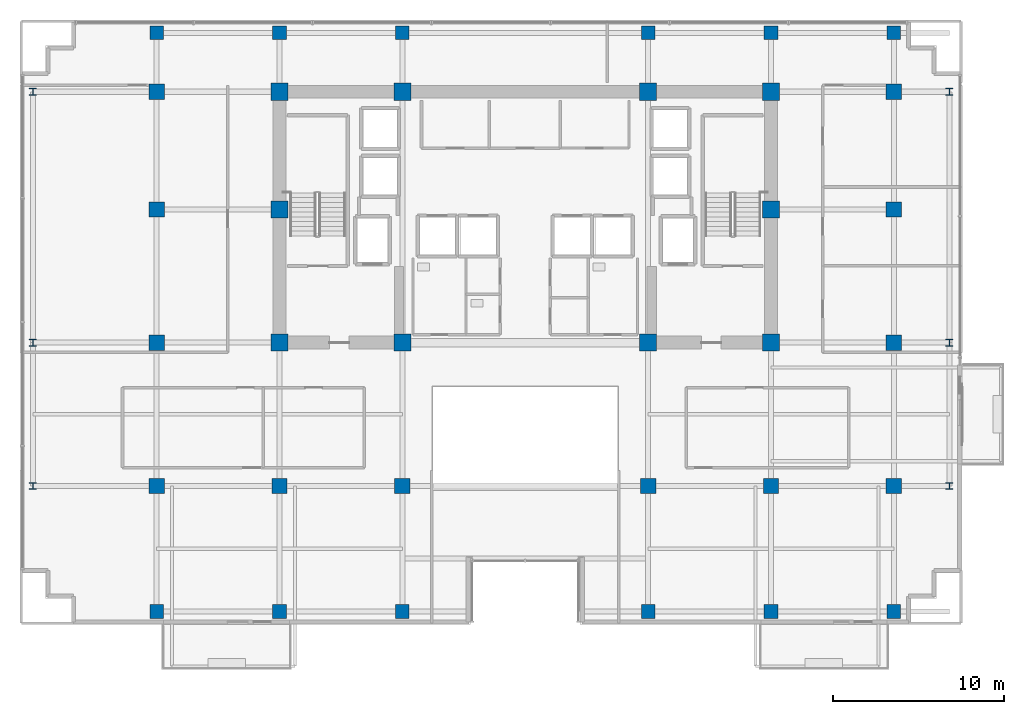
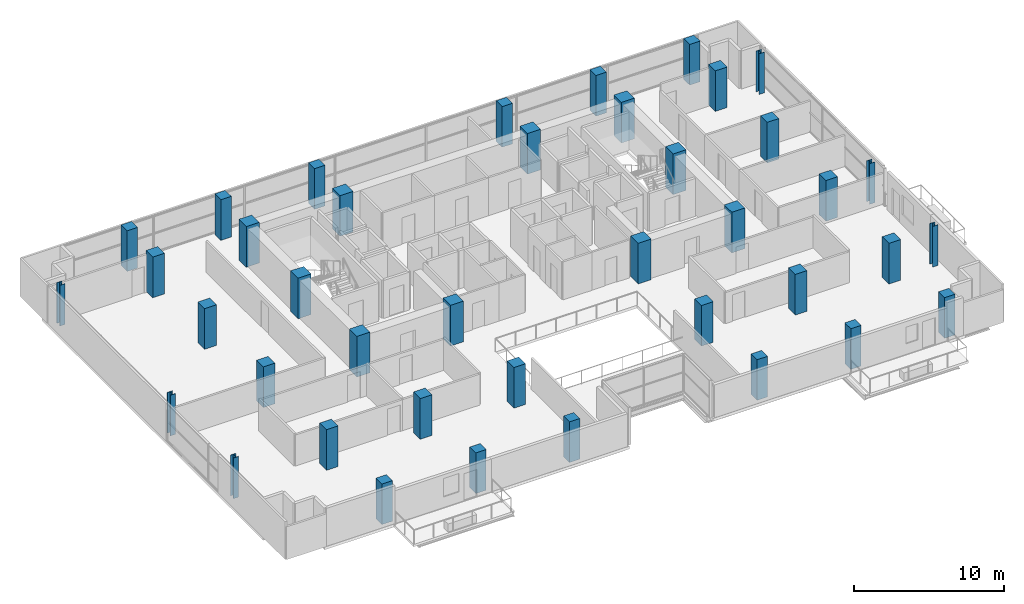
# One storey, part 1 of 25: 40 columns.
"""IFC4 building model written with IfcOpenShell, lengths in metres."""

from ifc_helpers import new_model, si_unit, direction, frame, origin, origin_2d, place, context, subcontext, project, spatial, rectangle, i_section, extrude, material, material_profile, profile_set, type_object, element, save


model = new_model("IFC4")

# Units and contexts
model_context = context("Model", 3, precision=1e-05, world=origin(), true_north=direction((0.0, 1.0)))
body_context = subcontext(model_context, "Body", "Model", "MODEL_VIEW")
ifc_project = project(units=[si_unit("LENGTHUNIT", "METRE"), si_unit("AREAUNIT", "SQUARE_METRE"), si_unit("VOLUMEUNIT", "CUBIC_METRE"), si_unit("PLANEANGLEUNIT", "RADIAN"), si_unit("MASSUNIT", "GRAM", prefix="KILO")], contexts=[model_context])

# Site, building, storey
site_placement = place(None, origin())
site = spatial("IfcSite", under=ifc_project, at=site_placement, CompositionType="ELEMENT")
building_placement = place(site_placement, origin())
building = spatial("IfcBuilding", under=site, at=building_placement, Name="Zarnakvel Exchange Tower", CompositionType="ELEMENT")
storey_placement = place(building_placement, frame((0.0, 0.0, 100.0)))
storey = spatial("IfcBuildingStorey", under=building, at=storey_placement, Name="L27", CompositionType="ELEMENT", Elevation=100.0)

# Columns
ifc_material_1 = material(Name="Concrete C60/75", Category="concrete")
ifc_material_profile_1 = material_profile(ifc_material_1, rectangle(XDim=1.0, YDim=1.0, at=origin_2d()))
ifc_profile_set_1 = profile_set([ifc_material_profile_1], Name="Concrete C60/75")
column_type_1 = type_object("IfcColumnType", Name="CC-02", PredefinedType="COLUMN", material=ifc_profile_set_1)
for number, where, z_axis, x_axis, name in (
    (1, (-14.39990234375, -1.199951171875, 0.0), (0.0, 0.0, 1.0), (1.0, 0.0, 0.0), "L27 Column C-4D (CC-02)"),
    (2, (-7.199951171875, -1.199951171875, 0.0), (0.0, 0.0, 1.0), (1.0, 0.0, 0.0), "L27 Column C-5D (CC-02)"),
    (3, (7.199951171875, -1.199951171875, 0.0), (0.0, 0.0, 1.0), (1.0, 0.0, 0.0), "L27 Column C-8D (CC-02)"),
    (4, (14.39990234375, -1.199951171875, 0.0), (0.0, 0.0, 1.0), (1.0, 0.0, 0.0), "L27 Column C-9D (CC-02)"),
    (5, (-14.39990234375, 6.60009765625, 0.0), (0.0, 0.0, 1.0), (1.0, 0.0, 0.0), "L27 Column C-4E (CC-02)"),
    (6, (14.39990234375, 6.60009765625, 0.0), (0.0, 0.0, 1.0), (1.0, 0.0, 0.0), "L27 Column C-9E (CC-02)"),
    (7, (-14.39990234375, 13.5, 0.0), (0.0, 0.0, 1.0), (1.0, 0.0, 0.0), "L27 Column C-4F (CC-02)"),
    (8, (-7.199951171875, 13.5, 0.0), (0.0, 0.0, 1.0), (1.0, 0.0, 0.0), "L27 Column C-5F (CC-02)"),
    (9, (7.199951171875, 13.5, 0.0), (0.0, 0.0, 1.0), (1.0, 0.0, 0.0), "L27 Column C-8F (CC-02)"),
    (10, (14.39990234375, 13.5, 0.0), (0.0, 0.0, 1.0), (1.0, 0.0, 0.0), "L27 Column C-9F (CC-02)"),
):
    element("IfcColumn", number, at=place(storey_placement, frame(where, z_axis=z_axis, x_axis=x_axis)), inside=storey, type_object=column_type_1, Name=name, PredefinedType="COLUMN", context=body_context, shape_type="SweptSolid", body=[
        extrude(rectangle(XDim=1.0, YDim=1.0, at=origin_2d()), origin(), (0.0, 0.0, 1.0), 3.300048828125),
    ])
ifc_material_2 = material(Name="Steel S355", Category="steel")
ifc_material_profile_2 = material_profile(ifc_material_2, i_section(OverallWidth=0.404052734375, OverallDepth=0.406982421875, WebThickness=0.0224609375, FlangeThickness=0.031982421875, FilletRadius=0.014892578125, at=origin_2d()))
ifc_profile_set_2 = profile_set([ifc_material_profile_2], Name="Steel S355")
column_type_2 = type_object("IfcColumnType", Name="SC-02", PredefinedType="COLUMN", material=ifc_profile_set_2)
for number, where, z_axis, x_axis, name in (
    (11, (-28.85009765625, -9.60009765625, 0.0), (0.0, 0.0, 1.0), (1.0, 0.0, 0.0), "L27 Column TW-C (SC-02)"),
    (12, (24.85009765625, -9.60009765625, 0.0), (0.0, 0.0, 1.0), (1.0, 0.0, 0.0), "L27 Column TE-C (SC-02)"),
    (13, (-28.85009765625, -1.199951171875, 0.0), (0.0, 0.0, 1.0), (1.0, 0.0, 0.0), "L27 Column TW-D (SC-02)"),
    (14, (24.85009765625, -1.199951171875, 0.0), (0.0, 0.0, 1.0), (1.0, 0.0, 0.0), "L27 Column TE-D (SC-02)"),
    (15, (-28.85009765625, 13.5, 0.0), (0.0, 0.0, 1.0), (1.0, 0.0, 0.0), "L27 Column TW-F (SC-02)"),
    (16, (24.85009765625, 13.5, 0.0), (0.0, 0.0, 1.0), (1.0, 0.0, 0.0), "L27 Column TE-F (SC-02)"),
):
    element("IfcColumn", number, at=place(storey_placement, frame(where, z_axis=z_axis, x_axis=x_axis)), inside=storey, type_object=column_type_2, Name=name, PredefinedType="COLUMN", context=body_context, shape_type="SweptSolid", body=[
        extrude(i_section(OverallWidth=0.404052734375, OverallDepth=0.406982421875, WebThickness=0.0224609375, FlangeThickness=0.031982421875, FilletRadius=0.014892578125, at=origin_2d()), origin(), (0.0, 0.0, 1.0), 3.300048828125),
    ])
ifc_material_profile_3 = material_profile(ifc_material_1, rectangle(XDim=0.89990234375, YDim=0.89990234375, at=origin_2d()))
ifc_profile_set_3 = profile_set([ifc_material_profile_3], Name="Concrete C60/75")
column_type_3 = type_object("IfcColumnType", Name="TC-02", PredefinedType="COLUMN", material=ifc_profile_set_3)
for number, where, z_axis, x_axis, name in (
    (17, (-14.39990234375, -9.60009765625, 0.0), (0.0, 0.0, 1.0), (1.0, 0.0, 0.0), "L27 Column T-4C (TC-02)"),
    (18, (-7.199951171875, -9.60009765625, 0.0), (0.0, 0.0, 1.0), (1.0, 0.0, 0.0), "L27 Column T-5C (TC-02)"),
    (19, (7.199951171875, -9.60009765625, 0.0), (0.0, 0.0, 1.0), (1.0, 0.0, 0.0), "L27 Column T-8C (TC-02)"),
    (20, (14.39990234375, -9.60009765625, 0.0), (0.0, 0.0, 1.0), (1.0, 0.0, 0.0), "L27 Column T-9C (TC-02)"),
    (21, (-21.60009765625, -9.60009765625, 0.0), (0.0, 0.0, 1.0), (1.0, 0.0, 0.0), "L27 Column T-3C (TC-02)"),
    (22, (-21.60009765625, -1.199951171875, 0.0), (0.0, 0.0, 1.0), (1.0, 0.0, 0.0), "L27 Column T-3D (TC-02)"),
    (23, (-21.60009765625, 6.60009765625, 0.0), (0.0, 0.0, 1.0), (1.0, 0.0, 0.0), "L27 Column T-3E (TC-02)"),
    (24, (-21.60009765625, 13.5, 0.0), (0.0, 0.0, 1.0), (1.0, 0.0, 0.0), "L27 Column T-3F (TC-02)"),
    (25, (21.60009765625, -9.60009765625, 0.0), (0.0, 0.0, 1.0), (1.0, 0.0, 0.0), "L27 Column T-10C (TC-02)"),
    (26, (21.60009765625, -1.199951171875, 0.0), (0.0, 0.0, 1.0), (1.0, 0.0, 0.0), "L27 Column T-10D (TC-02)"),
    (27, (21.60009765625, 6.60009765625, 0.0), (0.0, 0.0, 1.0), (1.0, 0.0, 0.0), "L27 Column T-10E (TC-02)"),
    (28, (21.60009765625, 13.5, 0.0), (0.0, 0.0, 1.0), (1.0, 0.0, 0.0), "L27 Column T-10F (TC-02)"),
):
    element("IfcColumn", number, at=place(storey_placement, frame(where, z_axis=z_axis, x_axis=x_axis)), inside=storey, type_object=column_type_3, Name=name, PredefinedType="COLUMN", context=body_context, shape_type="SweptSolid", body=[
        extrude(rectangle(XDim=0.89990234375, YDim=0.89990234375, at=origin_2d()), origin(), (0.0, 0.0, 1.0), 3.300048828125),
    ])
ifc_material_profile_4 = material_profile(ifc_material_1, rectangle(XDim=0.800048828125, YDim=0.800048828125, at=origin_2d()))
ifc_profile_set_4 = profile_set([ifc_material_profile_4], Name="Concrete C60/75")
column_type_4 = type_object("IfcColumnType", Name="TC-03", PredefinedType="COLUMN", material=ifc_profile_set_4)
for number, where, z_axis, x_axis, name in (
    (29, (-14.39990234375, -16.949951171875, 0.0), (0.0, 0.0, 1.0), (1.0, 0.0, 0.0), "L27 Column TS-4 (TC-03)"),
    (30, (-14.39990234375, 16.949951171875, 0.0), (0.0, 0.0, 1.0), (1.0, 0.0, 0.0), "L27 Column TN-4 (TC-03)"),
    (31, (-7.199951171875, -16.949951171875, 0.0), (0.0, 0.0, 1.0), (1.0, 0.0, 0.0), "L27 Column TS-5 (TC-03)"),
    (32, (-7.199951171875, 16.949951171875, 0.0), (0.0, 0.0, 1.0), (1.0, 0.0, 0.0), "L27 Column TN-5 (TC-03)"),
    (33, (7.199951171875, -16.949951171875, 0.0), (0.0, 0.0, 1.0), (1.0, 0.0, 0.0), "L27 Column TS-8 (TC-03)"),
    (34, (7.199951171875, 16.949951171875, 0.0), (0.0, 0.0, 1.0), (1.0, 0.0, 0.0), "L27 Column TN-8 (TC-03)"),
    (35, (14.39990234375, -16.949951171875, 0.0), (0.0, 0.0, 1.0), (1.0, 0.0, 0.0), "L27 Column TS-9 (TC-03)"),
    (36, (14.39990234375, 16.949951171875, 0.0), (0.0, 0.0, 1.0), (1.0, 0.0, 0.0), "L27 Column TN-9 (TC-03)"),
    (37, (-21.60009765625, -16.949951171875, 0.0), (0.0, 0.0, 1.0), (1.0, 0.0, 0.0), "L27 Column TS-3 (TC-03)"),
    (38, (-21.60009765625, 16.949951171875, 0.0), (0.0, 0.0, 1.0), (1.0, 0.0, 0.0), "L27 Column TN-3 (TC-03)"),
    (39, (21.60009765625, -16.949951171875, 0.0), (0.0, 0.0, 1.0), (1.0, 0.0, 0.0), "L27 Column TS-10 (TC-03)"),
    (40, (21.60009765625, 16.949951171875, 0.0), (0.0, 0.0, 1.0), (1.0, 0.0, 0.0), "L27 Column TN-10 (TC-03)"),
):
    element("IfcColumn", number, at=place(storey_placement, frame(where, z_axis=z_axis, x_axis=x_axis)), inside=storey, type_object=column_type_4, Name=name, PredefinedType="COLUMN", context=body_context, shape_type="SweptSolid", body=[
        extrude(rectangle(XDim=0.800048828125, YDim=0.800048828125, at=origin_2d()), origin(), (0.0, 0.0, 1.0), 3.300048828125),
    ])

save(model, "model.ifc")
